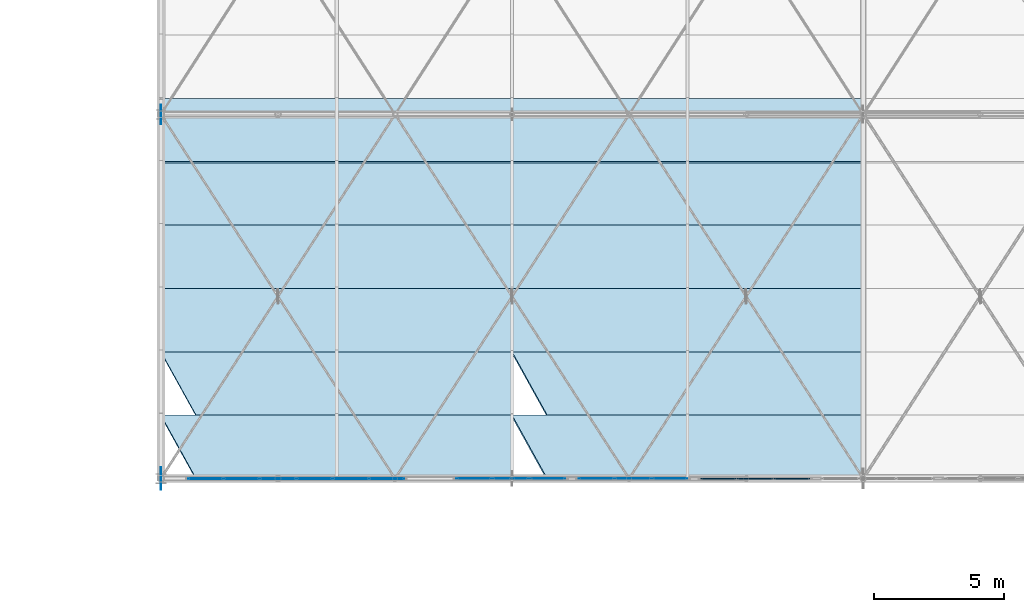
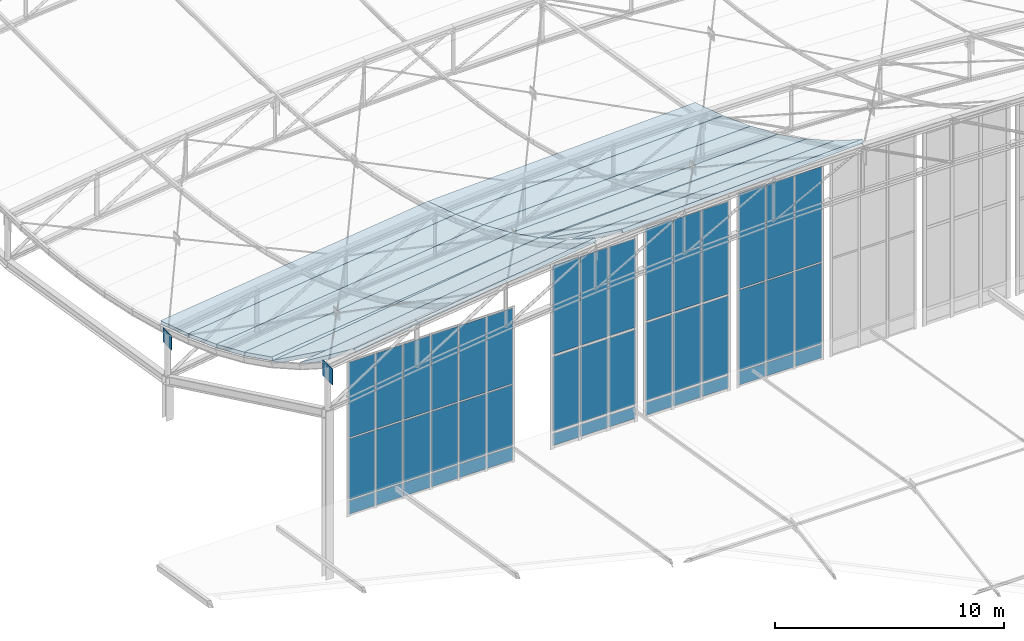
# One storey, part 228 of 262: 47 plates, 12 slabs, 4 elements without a shape of their own.
"""IFC4 building model written with IfcOpenShell, lengths in metres."""

from ifc_helpers import new_model, si_unit, derived_unit, direction, frame, origin, origin_2d, place, context, subcontext, project, spatial, polyline, rectangle, outline, extrude, material, layer, layer_set, type_object, element, aggregate, save


model = new_model("IFC4")

# Units and contexts
model_context = context("Model", 3, precision=1e-05, world=origin(), true_north=direction((0.0, 1.0)))
body_context = subcontext(model_context, "Body", "Model", "MODEL_VIEW")
ifc_project = project(units=[si_unit("LENGTHUNIT", "METRE"), si_unit("AREAUNIT", "SQUARE_METRE"), si_unit("VOLUMEUNIT", "CUBIC_METRE"), si_unit("PLANEANGLEUNIT", "RADIAN"), si_unit("MASSUNIT", "GRAM", prefix="KILO"), derived_unit("THERMALTRANSMITTANCEUNIT", [(si_unit("POWERUNIT", "WATT"), 1), (si_unit("LENGTHUNIT", "METRE"), -2), (si_unit("THERMODYNAMICTEMPERATUREUNIT", "KELVIN"), -1)])], contexts=[model_context])

# Site, building, storey
site_placement = place(None, origin())
site = spatial("IfcSite", under=ifc_project, at=site_placement, CompositionType="ELEMENT")
building_placement = place(site_placement, origin())
building = spatial("IfcBuilding", under=site, at=building_placement, Name="Almenara Railside Exhibition Hall", CompositionType="ELEMENT")
storey_placement = place(building_placement, frame((0.0, 0.0, 21.699951171875)))
storey = spatial("IfcBuildingStorey", under=building, at=storey_placement, Name="RF", CompositionType="ELEMENT", Elevation=21.699951171875)

# Curtain wall, plates
ifc_material_1 = material(Name="Bronze-anodised aluminium and low-E double glazing", Category="aluminium")
ifc_layer_1 = layer(ifc_material_1, 0.179931640625, Name="Bronze-anodised aluminium and low-E double glazing")
ifc_layer_set_1 = layer_set([ifc_layer_1], Name="Bronze-anodised aluminium and low-E double glazing")
curtain_wall_type_1 = type_object("IfcCurtainWallType", Name="Scroll Gable Tall Curtain Wall 3800x5400", PredefinedType="NOTDEFINED", material=ifc_layer_set_1)
curtain_wall_1_placement = place(storey_placement, origin())
curtain_wall_1 = element("IfcCurtainWall", 1, at=curtain_wall_1_placement, inside=storey, type_object=curtain_wall_type_1, Name="Curtain wall CW-G1-217", PredefinedType="NOTDEFINED")
ifc_material_2 = material(Name="Clear low-E laminated double glazing", Category="glass")
ifc_layer_2 = layer(ifc_material_2, 0.02392578125, Name="Clear low-E laminated double glazing")
ifc_layer_set_2 = layer_set([ifc_layer_2], Name="Clear low-E laminated double glazing")
plate_type_1 = type_object("IfcPlateType", Name="Courtyard Clear Double Glazing Panel 24mm", PredefinedType="CURTAIN_PANEL", material=ifc_layer_set_2)
plate_1_placement = place(storey_placement, frame((154.73291015625, 34.0, -6.576171875), z_axis=(0.0, 0.0, 1.0), x_axis=(1.0, 0.0, 0.0)))
plate_1 = element("IfcPlate", 2, at=plate_1_placement, type_object=plate_type_1, Name="CW-G1-217 panel 1.1", PredefinedType="CURTAIN_PANEL", context=body_context, shape_type="SweptSolid", body=[
    extrude(rectangle(XDim=1.351806640625, YDim=0.02392578125, at=origin_2d()), origin(), (0.0, 0.0, 1.0), 0.672119140625),
])
plate_2_placement = place(storey_placement, frame((154.73291015625, 34.0, -5.7958984375), z_axis=(0.0, 0.0, 1.0), x_axis=(1.0, 0.0, 0.0)))
plate_2 = element("IfcPlate", 3, at=plate_2_placement, type_object=plate_type_1, Name="CW-G1-217 panel 1.2", PredefinedType="CURTAIN_PANEL", context=body_context, shape_type="SweptSolid", body=[
    extrude(rectangle(XDim=1.351806640625, YDim=0.02392578125, at=origin_2d()), origin(), (0.0, 0.0, 1.0), 4.14697265625),
])
plate_3_placement = place(storey_placement, frame((154.73291015625, 34.0, -1.541015625), z_axis=(0.0, 0.0, 1.0), x_axis=(1.0, 0.0, 0.0)))
plate_3 = element("IfcPlate", 4, at=plate_3_placement, type_object=plate_type_1, Name="CW-G1-217 panel 1.3", PredefinedType="CURTAIN_PANEL", context=body_context, shape_type="SweptSolid", body=[
    extrude(rectangle(XDim=1.351806640625, YDim=0.02392578125, at=origin_2d()), origin(), (0.0, 0.0, 1.0), 4.927001953125),
])
plate_4_placement = place(storey_placement, frame((156.14990234375, 34.0, -6.576171875), z_axis=(0.0, 0.0, 1.0), x_axis=(1.0, 0.0, 0.0)))
plate_4 = element("IfcPlate", 5, at=plate_4_placement, type_object=plate_type_1, Name="CW-G1-217 panel 2.1", PredefinedType="CURTAIN_PANEL", context=body_context, shape_type="SweptSolid", body=[
    extrude(rectangle(XDim=1.38427734375, YDim=0.02392578125, at=origin_2d()), origin(), (0.0, 0.0, 1.0), 0.672119140625),
])
plate_5_placement = place(storey_placement, frame((156.14990234375, 34.0, -5.7958984375), z_axis=(0.0, 0.0, 1.0), x_axis=(1.0, 0.0, 0.0)))
plate_5 = element("IfcPlate", 6, at=plate_5_placement, type_object=plate_type_1, Name="CW-G1-217 panel 2.2", PredefinedType="CURTAIN_PANEL", context=body_context, shape_type="SweptSolid", body=[
    extrude(rectangle(XDim=1.38427734375, YDim=0.02392578125, at=origin_2d()), origin(), (0.0, 0.0, 1.0), 4.14697265625),
])
plate_6_placement = place(storey_placement, frame((156.14990234375, 34.0, -1.541015625), z_axis=(0.0, 0.0, 1.0), x_axis=(1.0, 0.0, 0.0)))
plate_6 = element("IfcPlate", 7, at=plate_6_placement, type_object=plate_type_1, Name="CW-G1-217 panel 2.3", PredefinedType="CURTAIN_PANEL", context=body_context, shape_type="SweptSolid", body=[
    extrude(rectangle(XDim=1.38427734375, YDim=0.02392578125, at=origin_2d()), origin(), (0.0, 0.0, 1.0), 4.927001953125),
])
plate_7_placement = place(storey_placement, frame((157.567138671875, 34.0, -6.576171875), z_axis=(0.0, 0.0, 1.0), x_axis=(1.0, 0.0, 0.0)))
plate_7 = element("IfcPlate", 8, at=plate_7_placement, type_object=plate_type_1, Name="CW-G1-217 panel 3.1", PredefinedType="CURTAIN_PANEL", context=body_context, shape_type="SweptSolid", body=[
    extrude(rectangle(XDim=1.351806640625, YDim=0.02392578125, at=origin_2d()), origin(), (0.0, 0.0, 1.0), 0.672119140625),
])
plate_8_placement = place(storey_placement, frame((157.567138671875, 34.0, -5.7958984375), z_axis=(0.0, 0.0, 1.0), x_axis=(1.0, 0.0, 0.0)))
plate_8 = element("IfcPlate", 9, at=plate_8_placement, type_object=plate_type_1, Name="CW-G1-217 panel 3.2", PredefinedType="CURTAIN_PANEL", context=body_context, shape_type="SweptSolid", body=[
    extrude(rectangle(XDim=1.351806640625, YDim=0.02392578125, at=origin_2d()), origin(), (0.0, 0.0, 1.0), 4.14697265625),
])
plate_9_placement = place(storey_placement, frame((157.567138671875, 34.0, -1.541015625), z_axis=(0.0, 0.0, 1.0), x_axis=(1.0, 0.0, 0.0)))
plate_9 = element("IfcPlate", 10, at=plate_9_placement, type_object=plate_type_1, Name="CW-G1-217 panel 3.3", PredefinedType="CURTAIN_PANEL", context=body_context, shape_type="SweptSolid", body=[
    extrude(rectangle(XDim=1.351806640625, YDim=0.02392578125, at=origin_2d()), origin(), (0.0, 0.0, 1.0), 4.927001953125),
])
aggregate(curtain_wall_1, [plate_1, plate_2, plate_3, plate_4, plate_5, plate_6, plate_7, plate_8, plate_9])

curtain_wall_2_placement = place(storey_placement, origin())
curtain_wall_2 = element("IfcCurtainWall", 11, at=curtain_wall_2_placement, inside=storey, type_object=curtain_wall_type_1, Name="Curtain wall CW-G1-218", PredefinedType="NOTDEFINED")
ifc_material_3 = material(Name="Bronze-anodised insulated aluminium spandrel", Category="aluminium")
ifc_layer_3 = layer(ifc_material_3, 0.0400390625, Name="Bronze-anodised insulated aluminium spandrel")
ifc_layer_set_3 = layer_set([ifc_layer_3], Name="Bronze-anodised insulated aluminium spandrel")
plate_type_2 = type_object("IfcPlateType", Name="Insulated Bronze Spandrel Panel 40mm", PredefinedType="CURTAIN_PANEL", material=ifc_layer_set_3)
plate_10_placement = place(storey_placement, frame((159.431640625, 34.0, -6.60595703125), z_axis=(0.0, 0.0, 1.0), x_axis=(1.0, 0.0, 0.0)))
plate_10 = element("IfcPlate", 12, at=plate_10_placement, type_object=plate_type_2, Name="CW-G1-218 panel 1.1", PredefinedType="CURTAIN_PANEL", context=body_context, shape_type="SweptSolid", body=[
    extrude(rectangle(XDim=1.359375, YDim=0.0400390625, at=origin_2d()), origin(), (0.0, 0.0, 1.0), 0.717041015625),
])
plate_11_placement = place(storey_placement, frame((159.431640625, 34.0, -5.81103515625), z_axis=(0.0, 0.0, 1.0), x_axis=(1.0, 0.0, 0.0)))
plate_11 = element("IfcPlate", 13, at=plate_11_placement, type_object=plate_type_2, Name="CW-G1-218 panel 1.2", PredefinedType="CURTAIN_PANEL", context=body_context, shape_type="SweptSolid", body=[
    extrude(rectangle(XDim=1.359375, YDim=0.0400390625, at=origin_2d()), origin(), (0.0, 0.0, 1.0), 4.27197265625),
])
plate_12_placement = place(storey_placement, frame((159.431640625, 34.0, -1.4609375), z_axis=(0.0, 0.0, 1.0), x_axis=(1.0, 0.0, 0.0)))
plate_12 = element("IfcPlate", 14, at=plate_12_placement, type_object=plate_type_2, Name="CW-G1-218 panel 1.3", PredefinedType="CURTAIN_PANEL", context=body_context, shape_type="SweptSolid", body=[
    extrude(rectangle(XDim=1.359375, YDim=0.0400390625, at=origin_2d()), origin(), (0.0, 0.0, 1.0), 5.06689453125),
])
plate_13_placement = place(storey_placement, frame((160.85009765625, 34.0, -6.60595703125), z_axis=(0.0, 0.0, 1.0), x_axis=(1.0, 0.0, 0.0)))
plate_13 = element("IfcPlate", 15, at=plate_13_placement, type_object=plate_type_2, Name="CW-G1-218 panel 2.1", PredefinedType="CURTAIN_PANEL", context=body_context, shape_type="SweptSolid", body=[
    extrude(rectangle(XDim=1.389404296875, YDim=0.0400390625, at=origin_2d()), origin(), (0.0, 0.0, 1.0), 0.717041015625),
])
plate_14_placement = place(storey_placement, frame((160.85009765625, 34.0, -5.81103515625), z_axis=(0.0, 0.0, 1.0), x_axis=(1.0, 0.0, 0.0)))
plate_14 = element("IfcPlate", 16, at=plate_14_placement, type_object=plate_type_2, Name="CW-G1-218 panel 2.2", PredefinedType="CURTAIN_PANEL", context=body_context, shape_type="SweptSolid", body=[
    extrude(rectangle(XDim=1.389404296875, YDim=0.0400390625, at=origin_2d()), origin(), (0.0, 0.0, 1.0), 4.27197265625),
])
plate_15_placement = place(storey_placement, frame((160.85009765625, 34.0, -1.4609375), z_axis=(0.0, 0.0, 1.0), x_axis=(1.0, 0.0, 0.0)))
plate_15 = element("IfcPlate", 17, at=plate_15_placement, type_object=plate_type_2, Name="CW-G1-218 panel 2.3", PredefinedType="CURTAIN_PANEL", context=body_context, shape_type="SweptSolid", body=[
    extrude(rectangle(XDim=1.389404296875, YDim=0.0400390625, at=origin_2d()), origin(), (0.0, 0.0, 1.0), 5.06689453125),
])
plate_16_placement = place(storey_placement, frame((162.268310546875, 34.0, -6.60595703125), z_axis=(0.0, 0.0, 1.0), x_axis=(1.0, 0.0, 0.0)))
plate_16 = element("IfcPlate", 18, at=plate_16_placement, type_object=plate_type_2, Name="CW-G1-218 panel 3.1", PredefinedType="CURTAIN_PANEL", context=body_context, shape_type="SweptSolid", body=[
    extrude(rectangle(XDim=1.359375, YDim=0.0400390625, at=origin_2d()), origin(), (0.0, 0.0, 1.0), 0.717041015625),
])
plate_17_placement = place(storey_placement, frame((162.268310546875, 34.0, -5.81103515625), z_axis=(0.0, 0.0, 1.0), x_axis=(1.0, 0.0, 0.0)))
plate_17 = element("IfcPlate", 19, at=plate_17_placement, type_object=plate_type_2, Name="CW-G1-218 panel 3.2", PredefinedType="CURTAIN_PANEL", context=body_context, shape_type="SweptSolid", body=[
    extrude(rectangle(XDim=1.359375, YDim=0.0400390625, at=origin_2d()), origin(), (0.0, 0.0, 1.0), 4.27197265625),
])
plate_18_placement = place(storey_placement, frame((162.268310546875, 34.0, -1.4609375), z_axis=(0.0, 0.0, 1.0), x_axis=(1.0, 0.0, 0.0)))
plate_18 = element("IfcPlate", 20, at=plate_18_placement, type_object=plate_type_2, Name="CW-G1-218 panel 3.3", PredefinedType="CURTAIN_PANEL", context=body_context, shape_type="SweptSolid", body=[
    extrude(rectangle(XDim=1.359375, YDim=0.0400390625, at=origin_2d()), origin(), (0.0, 0.0, 1.0), 5.06689453125),
])
aggregate(curtain_wall_2, [plate_10, plate_11, plate_12, plate_13, plate_14, plate_15, plate_16, plate_17, plate_18])

ifc_layer_4 = layer(ifc_material_1, 0.179931640625, Name="Bronze-anodised aluminium and low-E double glazing")
ifc_layer_set_4 = layer_set([ifc_layer_4], Name="Bronze-anodised aluminium and low-E double glazing")
curtain_wall_type_2 = type_object("IfcCurtainWallType", Name="Scroll Gable Standard Curtain Wall 3600x5000", PredefinedType="NOTDEFINED", material=ifc_layer_set_4)
curtain_wall_3_placement = place(storey_placement, origin())
curtain_wall_3 = element("IfcCurtainWall", 21, at=curtain_wall_3_placement, inside=storey, type_object=curtain_wall_type_2, Name="Curtain wall CW-G2-214", PredefinedType="NOTDEFINED")
ifc_layer_5 = layer(ifc_material_3, 0.034912109375, Name="Bronze-anodised insulated aluminium spandrel")
ifc_layer_set_5 = layer_set([ifc_layer_5], Name="Bronze-anodised insulated aluminium spandrel")
plate_type_3 = type_object("IfcPlateType", Name="Insulated Stucco-Tone Spandrel Panel 35mm", PredefinedType="CURTAIN_PANEL", material=ifc_layer_set_5)
plate_19_placement = place(storey_placement, frame((139.715087890625, 34.0, -6.60595703125), z_axis=(0.0, 0.0, 1.0), x_axis=(1.0, 0.0, 0.0)))
plate_19 = element("IfcPlate", 22, at=plate_19_placement, type_object=plate_type_3, Name="CW-G2-214 panel 1.1", PredefinedType="CURTAIN_PANEL", context=body_context, shape_type="SweptSolid", body=[
    extrude(rectangle(XDim=1.325927734375, YDim=0.034912109375, at=origin_2d()), origin(), (0.0, 0.0, 1.0), 0.717041015625),
])
plate_20_placement = place(storey_placement, frame((139.715087890625, 34.0, -5.81103515625), z_axis=(0.0, 0.0, 1.0), x_axis=(1.0, 0.0, 0.0)))
plate_20 = element("IfcPlate", 23, at=plate_20_placement, type_object=plate_type_3, Name="CW-G2-214 panel 1.2", PredefinedType="CURTAIN_PANEL", context=body_context, shape_type="SweptSolid", body=[
    extrude(rectangle(XDim=1.325927734375, YDim=0.034912109375, at=origin_2d()), origin(), (0.0, 0.0, 1.0), 3.221923828125),
])
plate_21_placement = place(storey_placement, frame((139.715087890625, 34.0, -2.510986328125), z_axis=(0.0, 0.0, 1.0), x_axis=(1.0, 0.0, 0.0)))
plate_21 = element("IfcPlate", 24, at=plate_21_placement, type_object=plate_type_3, Name="CW-G2-214 panel 1.3", PredefinedType="CURTAIN_PANEL", context=body_context, shape_type="SweptSolid", body=[
    extrude(rectangle(XDim=1.325927734375, YDim=0.034912109375, at=origin_2d()), origin(), (0.0, 0.0, 1.0), 4.01708984375),
])
plate_22_placement = place(storey_placement, frame((141.10009765625, 34.0, -6.60595703125), z_axis=(0.0, 0.0, 1.0), x_axis=(1.0, 0.0, 0.0)))
plate_22 = element("IfcPlate", 25, at=plate_22_placement, type_object=plate_type_3, Name="CW-G2-214 panel 2.1", PredefinedType="CURTAIN_PANEL", context=body_context, shape_type="SweptSolid", body=[
    extrude(rectangle(XDim=1.35595703125, YDim=0.034912109375, at=origin_2d()), origin(), (0.0, 0.0, 1.0), 0.717041015625),
])
plate_23_placement = place(storey_placement, frame((141.10009765625, 34.0, -5.81103515625), z_axis=(0.0, 0.0, 1.0), x_axis=(1.0, 0.0, 0.0)))
plate_23 = element("IfcPlate", 26, at=plate_23_placement, type_object=plate_type_3, Name="CW-G2-214 panel 2.2", PredefinedType="CURTAIN_PANEL", context=body_context, shape_type="SweptSolid", body=[
    extrude(rectangle(XDim=1.35595703125, YDim=0.034912109375, at=origin_2d()), origin(), (0.0, 0.0, 1.0), 3.221923828125),
])
plate_24_placement = place(storey_placement, frame((141.10009765625, 34.0, -2.510986328125), z_axis=(0.0, 0.0, 1.0), x_axis=(1.0, 0.0, 0.0)))
plate_24 = element("IfcPlate", 27, at=plate_24_placement, type_object=plate_type_3, Name="CW-G2-214 panel 2.3", PredefinedType="CURTAIN_PANEL", context=body_context, shape_type="SweptSolid", body=[
    extrude(rectangle(XDim=1.35595703125, YDim=0.034912109375, at=origin_2d()), origin(), (0.0, 0.0, 1.0), 4.01708984375),
])
plate_25_placement = place(storey_placement, frame((142.5, 34.0, -6.60595703125), z_axis=(0.0, 0.0, 1.0), x_axis=(1.0, 0.0, 0.0)))
plate_25 = element("IfcPlate", 28, at=plate_25_placement, type_object=plate_type_3, Name="CW-G2-214 panel 3.1", PredefinedType="CURTAIN_PANEL", context=body_context, shape_type="SweptSolid", body=[
    extrude(rectangle(XDim=1.35595703125, YDim=0.034912109375, at=origin_2d()), origin(), (0.0, 0.0, 1.0), 0.717041015625),
])
plate_26_placement = place(storey_placement, frame((142.5, 34.0, -5.81103515625), z_axis=(0.0, 0.0, 1.0), x_axis=(1.0, 0.0, 0.0)))
plate_26 = element("IfcPlate", 29, at=plate_26_placement, type_object=plate_type_3, Name="CW-G2-214 panel 3.2", PredefinedType="CURTAIN_PANEL", context=body_context, shape_type="SweptSolid", body=[
    extrude(rectangle(XDim=1.35595703125, YDim=0.034912109375, at=origin_2d()), origin(), (0.0, 0.0, 1.0), 3.221923828125),
])
plate_27_placement = place(storey_placement, frame((142.5, 34.0, -2.510986328125), z_axis=(0.0, 0.0, 1.0), x_axis=(1.0, 0.0, 0.0)))
plate_27 = element("IfcPlate", 30, at=plate_27_placement, type_object=plate_type_3, Name="CW-G2-214 panel 3.3", PredefinedType="CURTAIN_PANEL", context=body_context, shape_type="SweptSolid", body=[
    extrude(rectangle(XDim=1.35595703125, YDim=0.034912109375, at=origin_2d()), origin(), (0.0, 0.0, 1.0), 4.01708984375),
])
plate_28_placement = place(storey_placement, frame((143.89990234375, 34.0, -6.60595703125), z_axis=(0.0, 0.0, 1.0), x_axis=(1.0, 0.0, 0.0)))
plate_28 = element("IfcPlate", 31, at=plate_28_placement, type_object=plate_type_3, Name="CW-G2-214 panel 4.1", PredefinedType="CURTAIN_PANEL", context=body_context, shape_type="SweptSolid", body=[
    extrude(rectangle(XDim=1.35595703125, YDim=0.034912109375, at=origin_2d()), origin(), (0.0, 0.0, 1.0), 0.717041015625),
])
plate_29_placement = place(storey_placement, frame((143.89990234375, 34.0, -5.81103515625), z_axis=(0.0, 0.0, 1.0), x_axis=(1.0, 0.0, 0.0)))
plate_29 = element("IfcPlate", 32, at=plate_29_placement, type_object=plate_type_3, Name="CW-G2-214 panel 4.2", PredefinedType="CURTAIN_PANEL", context=body_context, shape_type="SweptSolid", body=[
    extrude(rectangle(XDim=1.35595703125, YDim=0.034912109375, at=origin_2d()), origin(), (0.0, 0.0, 1.0), 3.221923828125),
])
plate_30_placement = place(storey_placement, frame((143.89990234375, 34.0, -2.510986328125), z_axis=(0.0, 0.0, 1.0), x_axis=(1.0, 0.0, 0.0)))
plate_30 = element("IfcPlate", 33, at=plate_30_placement, type_object=plate_type_3, Name="CW-G2-214 panel 4.3", PredefinedType="CURTAIN_PANEL", context=body_context, shape_type="SweptSolid", body=[
    extrude(rectangle(XDim=1.35595703125, YDim=0.034912109375, at=origin_2d()), origin(), (0.0, 0.0, 1.0), 4.01708984375),
])
plate_31_placement = place(storey_placement, frame((145.300048828125, 34.0, -6.60595703125), z_axis=(0.0, 0.0, 1.0), x_axis=(1.0, 0.0, 0.0)))
plate_31 = element("IfcPlate", 34, at=plate_31_placement, type_object=plate_type_3, Name="CW-G2-214 panel 5.1", PredefinedType="CURTAIN_PANEL", context=body_context, shape_type="SweptSolid", body=[
    extrude(rectangle(XDim=1.35595703125, YDim=0.034912109375, at=origin_2d()), origin(), (0.0, 0.0, 1.0), 0.717041015625),
])
plate_32_placement = place(storey_placement, frame((145.300048828125, 34.0, -5.81103515625), z_axis=(0.0, 0.0, 1.0), x_axis=(1.0, 0.0, 0.0)))
plate_32 = element("IfcPlate", 35, at=plate_32_placement, type_object=plate_type_3, Name="CW-G2-214 panel 5.2", PredefinedType="CURTAIN_PANEL", context=body_context, shape_type="SweptSolid", body=[
    extrude(rectangle(XDim=1.35595703125, YDim=0.034912109375, at=origin_2d()), origin(), (0.0, 0.0, 1.0), 3.221923828125),
])
plate_33_placement = place(storey_placement, frame((145.300048828125, 34.0, -2.510986328125), z_axis=(0.0, 0.0, 1.0), x_axis=(1.0, 0.0, 0.0)))
plate_33 = element("IfcPlate", 36, at=plate_33_placement, type_object=plate_type_3, Name="CW-G2-214 panel 5.3", PredefinedType="CURTAIN_PANEL", context=body_context, shape_type="SweptSolid", body=[
    extrude(rectangle(XDim=1.35595703125, YDim=0.034912109375, at=origin_2d()), origin(), (0.0, 0.0, 1.0), 4.01708984375),
])
plate_34_placement = place(storey_placement, frame((146.68505859375, 34.0, -6.60595703125), z_axis=(0.0, 0.0, 1.0), x_axis=(1.0, 0.0, 0.0)))
plate_34 = element("IfcPlate", 37, at=plate_34_placement, type_object=plate_type_3, Name="CW-G2-214 panel 6.1", PredefinedType="CURTAIN_PANEL", context=body_context, shape_type="SweptSolid", body=[
    extrude(rectangle(XDim=1.325927734375, YDim=0.034912109375, at=origin_2d()), origin(), (0.0, 0.0, 1.0), 0.717041015625),
])
plate_35_placement = place(storey_placement, frame((146.68505859375, 34.0, -5.81103515625), z_axis=(0.0, 0.0, 1.0), x_axis=(1.0, 0.0, 0.0)))
plate_35 = element("IfcPlate", 38, at=plate_35_placement, type_object=plate_type_3, Name="CW-G2-214 panel 6.2", PredefinedType="CURTAIN_PANEL", context=body_context, shape_type="SweptSolid", body=[
    extrude(rectangle(XDim=1.325927734375, YDim=0.034912109375, at=origin_2d()), origin(), (0.0, 0.0, 1.0), 3.221923828125),
])
plate_36_placement = place(storey_placement, frame((146.68505859375, 34.0, -2.510986328125), z_axis=(0.0, 0.0, 1.0), x_axis=(1.0, 0.0, 0.0)))
plate_36 = element("IfcPlate", 39, at=plate_36_placement, type_object=plate_type_3, Name="CW-G2-214 panel 6.3", PredefinedType="CURTAIN_PANEL", context=body_context, shape_type="SweptSolid", body=[
    extrude(rectangle(XDim=1.325927734375, YDim=0.034912109375, at=origin_2d()), origin(), (0.0, 0.0, 1.0), 4.01708984375),
])
aggregate(curtain_wall_3, [plate_19, plate_20, plate_21, plate_22, plate_23, plate_24, plate_25, plate_26, plate_27, plate_28, plate_29, plate_30, plate_31, plate_32, plate_33, plate_34, plate_35, plate_36])

curtain_wall_4_placement = place(storey_placement, origin())
curtain_wall_4 = element("IfcCurtainWall", 40, at=curtain_wall_4_placement, inside=storey, type_object=curtain_wall_type_1, Name="Curtain wall CW-G1-216", PredefinedType="NOTDEFINED")
ifc_material_4 = material(Name="Solar-control low-E laminated double glazing", Category="glass")
ifc_layer_6 = layer(ifc_material_4, 0.028076171875, Name="Solar-control low-E laminated double glazing")
ifc_layer_set_6 = layer_set([ifc_layer_6], Name="Solar-control low-E laminated double glazing")
plate_type_4 = type_object("IfcPlateType", Name="Low-E Solar Control Double Glazing Panel 28mm", PredefinedType="CURTAIN_PANEL", material=ifc_layer_set_6)
plate_37_placement = place(storey_placement, frame((150.0341796875, 34.0, -6.555908203125), z_axis=(0.0, 0.0, 1.0), x_axis=(1.0, 0.0, 0.0)))
plate_37 = element("IfcPlate", 41, at=plate_37_placement, type_object=plate_type_4, Name="CW-G1-216 panel 1.1", PredefinedType="CURTAIN_PANEL", context=body_context, shape_type="SweptSolid", body=[
    extrude(rectangle(XDim=1.34423828125, YDim=0.028076171875, at=origin_2d()), origin(), (0.0, 0.0, 1.0), 0.64208984375),
])
plate_38_placement = place(storey_placement, frame((150.0341796875, 34.0, -5.7861328125), z_axis=(0.0, 0.0, 1.0), x_axis=(1.0, 0.0, 0.0)))
plate_38 = element("IfcPlate", 42, at=plate_38_placement, type_object=plate_type_4, Name="CW-G1-216 panel 1.2", PredefinedType="CURTAIN_PANEL", context=body_context, shape_type="SweptSolid", body=[
    extrude(rectangle(XDim=1.34423828125, YDim=0.028076171875, at=origin_2d()), origin(), (0.0, 0.0, 1.0), 3.971923828125),
])
plate_39_placement = place(storey_placement, frame((150.0341796875, 34.0, -1.68603515625), z_axis=(0.0, 0.0, 1.0), x_axis=(1.0, 0.0, 0.0)))
plate_39 = element("IfcPlate", 43, at=plate_39_placement, type_object=plate_type_4, Name="CW-G1-216 panel 1.3", PredefinedType="CURTAIN_PANEL", context=body_context, shape_type="SweptSolid", body=[
    extrude(rectangle(XDim=1.34423828125, YDim=0.028076171875, at=origin_2d()), origin(), (0.0, 0.0, 1.0), 4.741943359375),
])
plate_40_placement = place(storey_placement, frame((151.449951171875, 34.0, -6.555908203125), z_axis=(0.0, 0.0, 1.0), x_axis=(1.0, 0.0, 0.0)))
plate_40 = element("IfcPlate", 44, at=plate_40_placement, type_object=plate_type_4, Name="CW-G1-216 panel 2.1", PredefinedType="CURTAIN_PANEL", context=body_context, shape_type="SweptSolid", body=[
    extrude(rectangle(XDim=1.37939453125, YDim=0.028076171875, at=origin_2d()), origin(), (0.0, 0.0, 1.0), 0.64208984375),
])
plate_41_placement = place(storey_placement, frame((151.449951171875, 34.0, -5.7861328125), z_axis=(0.0, 0.0, 1.0), x_axis=(1.0, 0.0, 0.0)))
plate_41 = element("IfcPlate", 45, at=plate_41_placement, type_object=plate_type_4, Name="CW-G1-216 panel 2.2", PredefinedType="CURTAIN_PANEL", context=body_context, shape_type="SweptSolid", body=[
    extrude(rectangle(XDim=1.37939453125, YDim=0.028076171875, at=origin_2d()), origin(), (0.0, 0.0, 1.0), 3.971923828125),
])
plate_42_placement = place(storey_placement, frame((151.449951171875, 34.0, -1.68603515625), z_axis=(0.0, 0.0, 1.0), x_axis=(1.0, 0.0, 0.0)))
plate_42 = element("IfcPlate", 46, at=plate_42_placement, type_object=plate_type_4, Name="CW-G1-216 panel 2.3", PredefinedType="CURTAIN_PANEL", context=body_context, shape_type="SweptSolid", body=[
    extrude(rectangle(XDim=1.37939453125, YDim=0.028076171875, at=origin_2d()), origin(), (0.0, 0.0, 1.0), 4.741943359375),
])
plate_43_placement = place(storey_placement, frame((152.86572265625, 34.0, -6.555908203125), z_axis=(0.0, 0.0, 1.0), x_axis=(1.0, 0.0, 0.0)))
plate_43 = element("IfcPlate", 47, at=plate_43_placement, type_object=plate_type_4, Name="CW-G1-216 panel 3.1", PredefinedType="CURTAIN_PANEL", context=body_context, shape_type="SweptSolid", body=[
    extrude(rectangle(XDim=1.34423828125, YDim=0.028076171875, at=origin_2d()), origin(), (0.0, 0.0, 1.0), 0.64208984375),
])
plate_44_placement = place(storey_placement, frame((152.86572265625, 34.0, -5.7861328125), z_axis=(0.0, 0.0, 1.0), x_axis=(1.0, 0.0, 0.0)))
plate_44 = element("IfcPlate", 48, at=plate_44_placement, type_object=plate_type_4, Name="CW-G1-216 panel 3.2", PredefinedType="CURTAIN_PANEL", context=body_context, shape_type="SweptSolid", body=[
    extrude(rectangle(XDim=1.34423828125, YDim=0.028076171875, at=origin_2d()), origin(), (0.0, 0.0, 1.0), 3.971923828125),
])
plate_45_placement = place(storey_placement, frame((152.86572265625, 34.0, -1.68603515625), z_axis=(0.0, 0.0, 1.0), x_axis=(1.0, 0.0, 0.0)))
plate_45 = element("IfcPlate", 49, at=plate_45_placement, type_object=plate_type_4, Name="CW-G1-216 panel 3.3", PredefinedType="CURTAIN_PANEL", context=body_context, shape_type="SweptSolid", body=[
    extrude(rectangle(XDim=1.34423828125, YDim=0.028076171875, at=origin_2d()), origin(), (0.0, 0.0, 1.0), 4.741943359375),
])
aggregate(curtain_wall_4, [plate_37, plate_38, plate_39, plate_40, plate_41, plate_42, plate_43, plate_44, plate_45])

# Slabs
ifc_material_5 = material(Name="White standing-seam insulated steel S355JR roof deck", Category="steel")
ifc_layer_7 = layer(ifc_material_5, 0.195068359375, Name="White standing-seam insulated steel S355JR roof deck")
ifc_layer_set_7 = layer_set([ifc_layer_7], Name="White standing-seam insulated steel S355JR roof deck")
slab_type_1 = type_object("IfcSlabType", Name="Scroll Standing-Seam Insulated Roof Cassette 195mm S355JR", PredefinedType="ROOF", material=ifc_layer_set_7)
slab_1_placement = place(storey_placement, frame((138.0, 38.873291015625, -0.79736328125), z_axis=(-0.108779023727, 0.442668279908, 0.890062873038), x_axis=(0.992614382556, 0.0, 0.121312355276)))
element("IfcSlab", 50, at=slab_1_placement, inside=storey, type_object=slab_type_1, Name="V2 roof cassette RC-V2-03A", PredefinedType="ROOF", context=body_context, shape_type="SweptSolid", body=[
    extrude(outline(polyline([(0.0, 0.0), (13.600447703804157, 0.0), (13.45342755449076, 2.717527736819313), (-0.14702014931339696, 2.717527736819313), (0.0, 0.0)])), origin(), (0.0, 0.0, -1.0), 0.195068359375),
])
slab_2_placement = place(storey_placement, frame((151.5, 38.873291015625, 0.8525390625), z_axis=(-0.036457270547, 0.445014736902, 0.894780839851), x_axis=(0.99917098071, 0.0, 0.04071057978)))
element("IfcSlab", 51, at=slab_2_placement, inside=storey, type_object=slab_type_1, Name="V2 roof cassette RC-V2-03B", PredefinedType="ROOF", context=body_context, shape_type="SweptSolid", body=[
    extrude(outline(polyline([(0.0, 0.0), (13.511201046291989, -2.7755575615628914e-17), (13.461863322163513, 2.7210545223615514), (-0.049337724128476194, 2.721054522361552), (0.0, 0.0)])), origin(), (0.0, 0.0, -1.0), 0.195068359375),
])
slab_3_placement = place(storey_placement, frame((138.0, 41.31005859375, -2.00927734375), z_axis=(-0.111406823331, 0.395931745169, 0.911496885833), x_axis=(0.992613471158, 3.23916e-06, 0.121319812333)))
element("IfcSlab", 52, at=slab_3_placement, inside=storey, type_object=slab_type_1, Name="V2 roof cassette RC-V2-04A", PredefinedType="ROOF", context=body_context, shape_type="SweptSolid", body=[
    extrude(outline(polyline([(0.0, 0.0), (13.600447703349015, 0.0), (13.472056820436796, 2.65357417350074), (-0.12842050200702587, 2.6536701226083514), (0.0, 0.0)])), origin(), (0.0, 0.0, -1.0), 0.195068359375),
])
slab_4_placement = place(storey_placement, frame((151.5, 41.31005859375, -0.359375), z_axis=(-0.037336648917, 0.398134110572, 0.916567075912), x_axis=(0.999171289928, -3.29693e-06, 0.040702989732)))
element("IfcSlab", 53, at=slab_4_placement, inside=storey, type_object=slab_type_1, Name="V2 roof cassette RC-V2-04B", PredefinedType="ROOF", context=body_context, shape_type="SweptSolid", body=[
    extrude(outline(polyline([(0.0, 0.0), (13.511201045828729, -2.7755575615628914e-17), (13.468105081439292, 2.656426110900733), (-0.0430860271360841, 2.6563289907714047), (0.0, 0.0)])), origin(), (0.0, 0.0, -1.0), 0.195068359375),
])
slab_5_placement = place(storey_placement, frame((138.0, 43.746826171875, -3.06787109375), z_axis=(-0.113689134993, 0.349265556374, 0.93010125885), x_axis=(0.992612220818, 0.0, 0.121330041965)))
element("IfcSlab", 54, at=slab_5_placement, inside=storey, type_object=slab_type_1, Name="V2 roof cassette RC-V2-05A", PredefinedType="ROOF", context=body_context, shape_type="SweptSolid", body=[
    extrude(outline(polyline([(0.0, 0.0), (13.600477323237415, 0.0), (13.489455595384504, 2.600539730834084), (-0.11102172785291241, 2.600539730834084), (0.0, 0.0)])), origin(), (0.0, 0.0, -1.0), 0.195068359375),
])
slab_6_placement = place(storey_placement, frame((151.5, 43.746826171875, -1.417724609375), z_axis=(-0.038099076355, 0.351289609221, 0.935491352624), x_axis=(0.999171715558, 0.0, 0.04069254021)))
element("IfcSlab", 55, at=slab_6_placement, inside=storey, type_object=slab_type_1, Name="V2 roof cassette RC-V2-05B", PredefinedType="ROOF", context=body_context, shape_type="SweptSolid", body=[
    extrude(outline(polyline([(0.0, 0.0), (13.51119110938769, 0.0), (13.473955845543443, 2.60264216726551), (-0.03723526384424778, 2.60264216726551), (0.0, 0.0)])), origin(), (0.0, 0.0, -1.0), 0.195068359375),
])
slab_7_placement = place(storey_placement, frame((138.0, 46.18359375, -3.98291015625), z_axis=(-0.115638740889, 0.302679495597, 0.946051163813), x_axis=(0.992612220818, 0.0, 0.121330041965)))
element("IfcSlab", 56, at=slab_7_placement, inside=storey, type_object=slab_type_1, Name="V2 roof cassette RC-V2-06A", PredefinedType="ROOF", context=body_context, shape_type="SweptSolid", body=[
    extrude(outline(polyline([(0.0, 0.0), (13.600477323237415, 5.551115123125783e-17), (13.505895579098048, 2.5564398976318663), (-0.09458174413936747, 2.5564398976318663), (0.0, 0.0)])), origin(), (0.0, 0.0, -1.0), 0.195068359375),
])
slab_8_placement = place(storey_placement, frame((151.5, 46.18359375, -2.332763671875), z_axis=(-0.038769369854, 0.304451433762, 0.951738546262), x_axis=(0.999171382228, 2.617894e-06, 0.04070072395)))
element("IfcSlab", 57, at=slab_8_placement, inside=storey, type_object=slab_type_1, Name="V2 roof cassette RC-V2-06B", PredefinedType="ROOF", context=body_context, shape_type="SweptSolid", body=[
    extrude(outline(polyline([(0.0, 0.0), (13.511191108888193, 5.551115123125783e-17), (13.479479540464764, 2.5579179900462297), (-0.03172150512361223, 2.5579922574440292), (0.0, 0.0)])), origin(), (0.0, 0.0, -1.0), 0.195068359375),
])
ifc_layer_8 = layer(ifc_material_5, 0.179931640625, Name="White standing-seam insulated steel S355JR roof deck")
ifc_layer_set_8 = layer_set([ifc_layer_8], Name="White standing-seam insulated steel S355JR roof deck")
slab_type_2 = type_object("IfcSlabType", Name="Scroll Tip Standing-Seam Cassette 180mm S355JR", PredefinedType="ROOF", material=ifc_layer_set_8)
slab_9_placement = place(storey_placement, frame((139.35009765625, 34.0, 2.14013671875), z_axis=(-0.113640712153, 0.535600777557, 0.836790054686), x_axis=(0.990904435574, 4.441675e-06, 0.134567453496)))
element("IfcSlab", 58, at=slab_9_placement, inside=storey, type_object=slab_type_2, Name="V2 roof cassette RC-V2-01A", PredefinedType="ROOF", context=body_context, shape_type="SweptSolid", body=[
    extrude(outline(polyline([(0.0, 0.0), (12.261415281126164, -2.220446049250313e-16), (12.051558698953457, 2.8854905984965518), (-1.572380081623934, 2.8856267479661), (0.0, 0.0)])), origin(), (0.0, 0.0, -1.0), 0.179931640625),
])
slab_10_placement = place(storey_placement, frame((152.85009765625, 34.0, 3.7900390625), z_axis=(-0.038107877271, 0.538690036464, 0.841641749383), x_axis=(0.998976604174, 2.787246e-06, 0.045229904998)))
element("IfcSlab", 59, at=slab_10_placement, inside=storey, type_object=slab_type_2, Name="V2 roof cassette RC-V2-01B", PredefinedType="ROOF", context=body_context, shape_type="SweptSolid", body=[
    extrude(outline(polyline([(0.0, 0.0), (12.162346840639898, 0.0), (12.091814415438654, 2.89225188433989), (-1.4220200539205312, 2.892336828537048), (0.0, 0.0)])), origin(), (0.0, 0.0, -1.0), 0.179931640625),
])
slab_11_placement = place(storey_placement, frame((139.35009765625, 36.436767578125, 0.580322265625), z_axis=(-0.117396470868, 0.488827261098, 0.864445473951), x_axis=(0.990903737815, -4.226032e-06, 0.134572591441)))
element("IfcSlab", 60, at=slab_11_placement, inside=storey, type_object=slab_type_2, Name="V2 roof cassette RC-V2-02A", PredefinedType="ROOF", context=body_context, shape_type="SweptSolid", body=[
    extrude(outline(polyline([(0.0, 0.0), (12.261448135164143, -1.1102230246251565e-16), (12.076006269469136, 2.7930177207442726), (-1.5478996571246009, 2.792892325562136), (0.0, 0.0)])), origin(), (0.0, 0.0, -1.0), 0.179931640625),
])
slab_12_placement = place(storey_placement, frame((152.85009765625, 36.436767578125, 2.23046875), z_axis=(-0.039373513142, 0.491871393609, 0.869777131576), x_axis=(0.998976916434, -1.437813e-06, 0.045223007756)))
element("IfcSlab", 61, at=slab_12_placement, inside=storey, type_object=slab_type_2, Name="V2 roof cassette RC-V2-02B", PredefinedType="ROOF", context=body_context, shape_type="SweptSolid", body=[
    extrude(outline(polyline([(0.0, 0.0), (12.162346840750738, 5.551115123125783e-17), (12.10002921254065, 2.798473369023004), (-1.4137942150795955, 2.79843096762999), (0.0, 0.0)])), origin(), (0.0, 0.0, -1.0), 0.179931640625),
])

# Plates
ifc_material_6 = material(Name="Structural steel S355JR", Category="steel")
ifc_layer_9 = layer(ifc_material_6, 0.02392578125, Name="Structural steel S355JR")
ifc_layer_set_9 = layer_set([ifc_layer_9], Name="Structural steel S355JR")
plate_type_5 = type_object("IfcPlateType", Name="Truss Node Gusset Plate 24mm S355JR", PredefinedType="USERDEFINED", material=ifc_layer_set_9)
plate_46_placement = place(storey_placement, frame((138.0, 48.0, -5.741455078125), z_axis=(0.0, 0.0, 1.0), x_axis=(0.0, 1.0, 0.0)))
element("IfcPlate", 62, at=plate_46_placement, inside=storey, type_object=plate_type_5, Name="PLT-GUS-0118", ObjectType="GUSSET_PLATE", PredefinedType="USERDEFINED", context=body_context, shape_type="SweptSolid", body=[
    extrude(rectangle(XDim=0.75, YDim=0.02392578125, at=origin_2d()), origin(), (0.0, 0.0, 1.0), 0.75),
])
ifc_layer_10 = layer(ifc_material_6, 0.028076171875, Name="Structural steel S355JR")
ifc_layer_set_10 = layer_set([ifc_layer_10], Name="Structural steel S355JR")
plate_type_6 = type_object("IfcPlateType", Name="Truss Node Gusset Plate 28mm S355JR", PredefinedType="USERDEFINED", material=ifc_layer_set_10)
plate_47_placement = place(storey_placement, frame((138.0, 34.0, 0.925048828125), z_axis=(0.0, 0.0, 1.0), x_axis=(0.0, 1.0, 0.0)))
element("IfcPlate", 63, at=plate_47_placement, inside=storey, type_object=plate_type_6, Name="PLT-GUS-0113", ObjectType="GUSSET_PLATE", PredefinedType="USERDEFINED", context=body_context, shape_type="SweptSolid", body=[
    extrude(rectangle(XDim=0.85009765625, YDim=0.028076171875, at=origin_2d()), origin(), (0.0, 0.0, 1.0), 0.85009765625),
])

save(model, "model.ifc")
